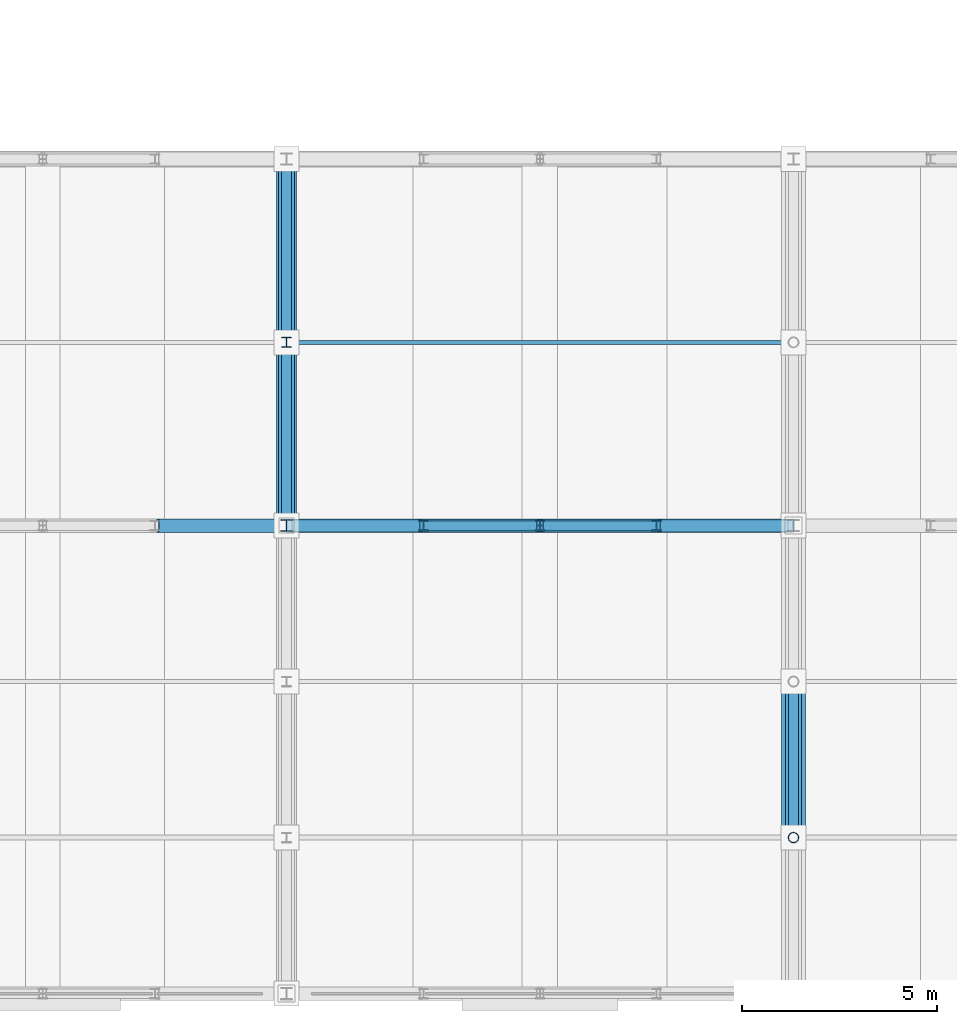
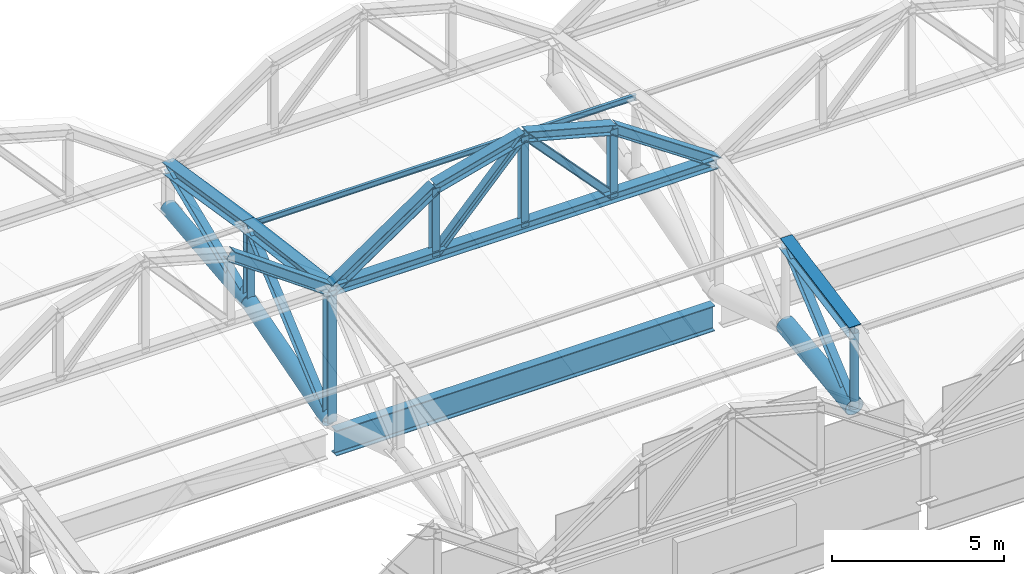
# One storey, part 23 of 117: 24 members, 1 beam.
"""IFC4 building model written with IfcOpenShell, lengths in metres."""

from ifc_helpers import new_model, si_unit, direction, frame, origin, origin_2d, place, context, subcontext, project, spatial, hollow_circle, i_section, extrude, material, material_profile, profile_set, type_object, element, save


model = new_model("IFC4")

# Units and contexts
model_context = context("Model", 3, precision=1e-05, world=origin(), true_north=direction((0.0, 1.0)))
body_context = subcontext(model_context, "Body", "Model", "MODEL_VIEW")
ifc_project = project(units=[si_unit("LENGTHUNIT", "METRE"), si_unit("AREAUNIT", "SQUARE_METRE"), si_unit("VOLUMEUNIT", "CUBIC_METRE"), si_unit("PLANEANGLEUNIT", "RADIAN"), si_unit("MASSUNIT", "GRAM", prefix="KILO")], contexts=[model_context])

# Site, building, storey
site_placement = place(None, origin())
site = spatial("IfcSite", under=ifc_project, at=site_placement, CompositionType="ELEMENT")
building_placement = place(site_placement, origin())
building = spatial("IfcBuilding", under=site, at=building_placement, Name="Kazenohara Klinker Stadium", CompositionType="ELEMENT")
storey_placement = place(building_placement, frame((0.0, 0.0, 31.199951171875)))
storey = spatial("IfcBuildingStorey", under=building, at=storey_placement, Name="RF", CompositionType="ELEMENT", Elevation=31.199951171875)

# Members
ifc_material = material(Name="Steel S355", Category="steel")
ifc_material_profile_1 = material_profile(ifc_material, i_section(OverallWidth=0.25, OverallDepth=0.25, WebThickness=0.009033203125, FlangeThickness=0.013916015625, FilletRadius=0.012939453125, at=origin_2d()), Name="H-250x250x9x14")
ifc_profile_set_1 = profile_set([ifc_material_profile_1], Name="Steel S355")
member_type_1 = type_object("IfcMemberType", Name="MEM-BRC02", PredefinedType="BRACE", material=ifc_profile_set_1)
member_1_placement = place(storey_placement, frame((99.0, 36.0, -0.02001953125), z_axis=(0.0, 0.755945561544, 0.65463448426), x_axis=(-1.0, 0.0, 0.0)))
element("IfcMember", 1, at=member_1_placement, inside=storey, type_object=member_type_1, Name="ROOF TRUSS RT-S04 web diagonal 4", PredefinedType="BRACE", context=body_context, shape_type="SweptSolid", body=[
    extrude(i_section(OverallWidth=0.25, OverallDepth=0.25, WebThickness=0.009033203125, FlangeThickness=0.013916015625, FilletRadius=0.012939453125, at=origin_2d()), origin(), (0.0, 0.0, 1.0), 6.21728515625),
])
member_2_placement = place(storey_placement, frame((99.0, 40.699951171875, 1.35009765625), z_axis=(0.0, 0.923659284192, 0.383214726655), x_axis=(-1.0, 0.0, 0.0)))
element("IfcMember", 2, at=member_2_placement, inside=storey, type_object=member_type_1, Name="ROOF TRUSS RT-S04 web diagonal 5", PredefinedType="BRACE", context=body_context, shape_type="SweptSolid", body=[
    extrude(i_section(OverallWidth=0.25, OverallDepth=0.25, WebThickness=0.009033203125, FlangeThickness=0.013916015625, FilletRadius=0.012939453125, at=origin_2d()), origin(), (0.0, 0.0, 1.0), 5.08837890625),
])
member_3_placement = place(storey_placement, frame((112.0, 28.0, 0.75), z_axis=(0.0, 0.757253091298, 0.653121547432), x_axis=(-1.0, 0.0, 0.0)))
element("IfcMember", 3, at=member_3_placement, inside=storey, type_object=member_type_1, Name="ROOF TRUSS RT-S05 web diagonal 2", PredefinedType="BRACE", context=body_context, shape_type="SweptSolid", body=[
    extrude(i_section(OverallWidth=0.25, OverallDepth=0.25, WebThickness=0.009033203125, FlangeThickness=0.013916015625, FilletRadius=0.012939453125, at=origin_2d()), origin(), (0.0, 0.0, 1.0), 5.2822265625),
])
ifc_material_profile_2 = material_profile(ifc_material, i_section(OverallWidth=0.39990234375, OverallDepth=0.39990234375, WebThickness=0.012939453125, FlangeThickness=0.02099609375, FilletRadius=0.02197265625, at=origin_2d()), Name="H-400x400x13x21")
ifc_profile_set_2 = profile_set([ifc_material_profile_2], Name="Steel S355")
member_type_2 = type_object("IfcMemberType", Name="MEM-CHD01", PredefinedType="CHORD", material=ifc_profile_set_2)
member_4_placement = place(storey_placement, frame((99.0, 36.0, 4.650146484375), z_axis=(0.0, 0.99194702514, -0.126653461524), x_axis=(-1.0, 0.0, 0.0)))
element("IfcMember", 4, at=member_4_placement, inside=storey, type_object=member_type_2, Name="ROOF TRUSS RT-S04 top arched chord 4", PredefinedType="CHORD", context=body_context, shape_type="SweptSolid", body=[
    extrude(i_section(OverallWidth=0.39990234375, OverallDepth=0.39990234375, WebThickness=0.012939453125, FlangeThickness=0.02099609375, FilletRadius=0.02197265625, at=origin_2d()), origin(), (0.0, 0.0, 1.0), 4.738037109375),
])
member_5_placement = place(storey_placement, frame((99.0, 40.699951171875, 4.050048828125), z_axis=(0.0, 0.987505848374, -0.157582357602), x_axis=(-1.0, 0.0, 0.0)))
element("IfcMember", 5, at=member_5_placement, inside=storey, type_object=member_type_2, Name="ROOF TRUSS RT-S04 top arched chord 5", PredefinedType="CHORD", context=body_context, shape_type="SweptSolid", body=[
    extrude(i_section(OverallWidth=0.39990234375, OverallDepth=0.39990234375, WebThickness=0.012939453125, FlangeThickness=0.02099609375, FilletRadius=0.02197265625, at=origin_2d()), origin(), (0.0, 0.0, 1.0), 4.759521484375),
])
member_6_placement = place(storey_placement, frame((112.0, 28.0, 3.449951171875), z_axis=(0.0, 0.982872186934, 0.18428853505), x_axis=(-1.0, 0.0, 0.0)))
element("IfcMember", 6, at=member_6_placement, inside=storey, type_object=member_type_2, Name="ROOF TRUSS RT-S05 top arched chord 2", PredefinedType="CHORD", context=body_context, shape_type="SweptSolid", body=[
    extrude(i_section(OverallWidth=0.39990234375, OverallDepth=0.39990234375, WebThickness=0.012939453125, FlangeThickness=0.02099609375, FilletRadius=0.02197265625, at=origin_2d()), origin(), (0.0, 0.0, 1.0), 4.06982421875),
])
ifc_material_profile_3 = material_profile(ifc_material, i_section(OverallWidth=0.35009765625, OverallDepth=0.35009765625, WebThickness=0.011962890625, FlangeThickness=0.01904296875, FilletRadius=0.012939453125, at=origin_2d()), Name="H-350x350x12x19")
ifc_profile_set_3 = profile_set([ifc_material_profile_3], Name="Steel S355")
member_type_3 = type_object("IfcMemberType", Name="MEM-CHD02", PredefinedType="CHORD", material=ifc_profile_set_3)
member_7_placement = place(storey_placement, frame((95.625, 36.0, 7.050048828125), z_axis=(0.814966461491, 0.0, -0.579508124744), x_axis=(0.0, 1.0, 0.0)))
element("IfcMember", 7, at=member_7_placement, inside=storey, type_object=member_type_3, Name="Barrel arch top rib TC02 S-03-N3-S4", PredefinedType="CHORD", context=body_context, shape_type="SweptSolid", body=[
    extrude(i_section(OverallWidth=0.35009765625, OverallDepth=0.35009765625, WebThickness=0.011962890625, FlangeThickness=0.01904296875, FilletRadius=0.012939453125, at=origin_2d()), origin(), (0.0, 0.0, 1.0), 4.141357421875),
])
member_8_placement = place(storey_placement, frame((99.0, 36.0, 4.650146484375), z_axis=(1.0, 0.0, 0.0), x_axis=(0.0, 1.0, 0.0)))
element("IfcMember", 8, at=member_8_placement, inside=storey, type_object=member_type_3, Name="Barrel arch tie chord TC02 S-04-N3", PredefinedType="CHORD", context=body_context, shape_type="SweptSolid", body=[
    extrude(i_section(OverallWidth=0.35009765625, OverallDepth=0.35009765625, WebThickness=0.011962890625, FlangeThickness=0.01904296875, FilletRadius=0.012939453125, at=origin_2d()), origin(), (0.0, 0.0, 1.0), 13.0),
])
member_9_placement = place(storey_placement, frame((99.0, 36.0, 4.650146484375), z_axis=(0.825491711615, 0.0, 0.56441423977), x_axis=(0.0, 1.0, 0.0)))
element("IfcMember", 9, at=member_9_placement, inside=storey, type_object=member_type_3, Name="Barrel arch top rib TC02 S-04-N3-S1", PredefinedType="CHORD", context=body_context, shape_type="SweptSolid", body=[
    extrude(i_section(OverallWidth=0.35009765625, OverallDepth=0.35009765625, WebThickness=0.011962890625, FlangeThickness=0.01904296875, FilletRadius=0.012939453125, at=origin_2d()), origin(), (0.0, 0.0, 1.0), 4.251953125),
])
for number, where, z_axis, x_axis, name in (
    (10, (102.510009765625, 36.0, 7.050048828125), (0.966015959624, 0.0, 0.258482428324), (0.0, 1.0, 0.0), "Barrel arch top rib TC02 S-04-N3-S2"),
    (11, (105.5, 36.0, 7.85009765625), (0.966015959624, 0.0, -0.258482428324), (0.0, 1.0, 0.0), "Barrel arch top rib TC02 S-04-N3-S3"),
):
    element("IfcMember", number, at=place(storey_placement, frame(where, z_axis=z_axis, x_axis=x_axis)), inside=storey, type_object=member_type_3, Name=name, PredefinedType="CHORD", context=body_context, shape_type="SweptSolid", body=[
        extrude(i_section(OverallWidth=0.35009765625, OverallDepth=0.35009765625, WebThickness=0.011962890625, FlangeThickness=0.01904296875, FilletRadius=0.012939453125, at=origin_2d()), origin(), (0.0, 0.0, 1.0), 3.09521484375),
    ])
member_10_placement = place(storey_placement, frame((108.489990234375, 36.0, 7.050048828125), z_axis=(0.825491711615, 0.0, -0.56441423977), x_axis=(0.0, 1.0, 0.0)))
element("IfcMember", 12, at=member_10_placement, inside=storey, type_object=member_type_3, Name="Barrel arch top rib TC02 S-04-N3-S4", PredefinedType="CHORD", context=body_context, shape_type="SweptSolid", body=[
    extrude(i_section(OverallWidth=0.35009765625, OverallDepth=0.35009765625, WebThickness=0.011962890625, FlangeThickness=0.01904296875, FilletRadius=0.012939453125, at=origin_2d()), origin(), (0.0, 0.0, 1.0), 4.251953125),
])
ifc_material_profile_4 = material_profile(ifc_material, hollow_circle(Radius=0.25390625, WallThickness=0.01611328125, at=origin_2d()), Name="CHS-508.0x16")
ifc_profile_set_4 = profile_set([ifc_material_profile_4], Name="Steel S355")
member_type_4 = type_object("IfcMemberType", Name="MEM-CHD04", PredefinedType="CHORD", material=ifc_profile_set_4)
member_11_placement = place(storey_placement, frame((99.0, 36.0, -0.02001953125), z_axis=(0.0, 0.960038530088, 0.279867863012), x_axis=(-1.0, 0.0, 0.0)))
element("IfcMember", 13, at=member_11_placement, inside=storey, type_object=member_type_4, Name="ROOF TRUSS RT-S04 bottom arched chord 4", PredefinedType="CHORD", context=body_context, shape_type="SweptSolid", body=[
    extrude(hollow_circle(Radius=0.25390625, WallThickness=0.01611328125, at=origin_2d()), origin(), (0.0, 0.0, 1.0), 4.8955078125),
])
member_12_placement = place(storey_placement, frame((99.0, 40.699951171875, 1.35009765625), z_axis=(0.0, 0.99438879757, 0.105787141313), x_axis=(-1.0, 0.0, 0.0)))
element("IfcMember", 14, at=member_12_placement, inside=storey, type_object=member_type_4, Name="ROOF TRUSS RT-S04 bottom arched chord 5", PredefinedType="CHORD", context=body_context, shape_type="SweptSolid", body=[
    extrude(hollow_circle(Radius=0.25390625, WallThickness=0.01611328125, at=origin_2d()), origin(), (0.0, 0.0, 1.0), 4.7265625),
])
ifc_material_profile_5 = material_profile(ifc_material, hollow_circle(Radius=0.3046875, WallThickness=0.01611328125, at=origin_2d()), Name="CHS-609.6x16")
ifc_profile_set_5 = profile_set([ifc_material_profile_5], Name="Steel S355")
member_type_5 = type_object("IfcMemberType", Name="MEM-CHD05", PredefinedType="CHORD", material=ifc_profile_set_5)
member_13_placement = place(storey_placement, frame((112.0, 28.0, 0.75), z_axis=(0.0, 0.992277876714, 0.124034734589), x_axis=(-1.0, 0.0, 0.0)))
element("IfcMember", 15, at=member_13_placement, inside=storey, type_object=member_type_5, Name="ROOF TRUSS RT-S05 bottom arched chord 2", PredefinedType="CHORD", context=body_context, shape_type="SweptSolid", body=[
    extrude(hollow_circle(Radius=0.3046875, WallThickness=0.01611328125, at=origin_2d()), origin(), (0.0, 0.0, 1.0), 4.03125),
])
ifc_material_profile_6 = material_profile(ifc_material, i_section(OverallWidth=0.10009765625, OverallDepth=0.199951171875, WebThickness=0.005615234375, FlangeThickness=0.008056640625, FilletRadius=0.008056640625, at=origin_2d()), Name="H-200x100x5.5x8")
ifc_profile_set_6 = profile_set([ifc_material_profile_6], Name="Steel S355")
member_type_6 = type_object("IfcMemberType", Name="MEM-PUR02", PredefinedType="PURLIN", material=ifc_profile_set_6)
member_14_placement = place(storey_placement, frame((99.0, 40.699951171875, 4.070068359375), z_axis=(1.0, 0.0, 0.0), x_axis=(0.0, 1.0, 0.0)))
element("IfcMember", 16, at=member_14_placement, inside=storey, type_object=member_type_6, Name="Canopy valley tie purlin PR02 S-04-N4", PredefinedType="PURLIN", context=body_context, shape_type="SweptSolid", body=[
    extrude(i_section(OverallWidth=0.10009765625, OverallDepth=0.199951171875, WebThickness=0.005615234375, FlangeThickness=0.008056640625, FilletRadius=0.008056640625, at=origin_2d()), origin(), (0.0, 0.0, 1.0), 13.0),
])
ifc_material_profile_7 = material_profile(ifc_material, i_section(OverallWidth=0.300048828125, OverallDepth=0.300048828125, WebThickness=0.010009765625, FlangeThickness=0.014892578125, FilletRadius=0.012939453125, at=origin_2d()), Name="H-300x300x10x15")
ifc_profile_set_7 = profile_set([ifc_material_profile_7], Name="Steel S355")
member_type_7 = type_object("IfcMemberType", Name="MEM-STR01", PredefinedType="STRUT", material=ifc_profile_set_7)
member_15_placement = place(storey_placement, frame((99.0, 36.0, -0.02001953125), z_axis=(0.0, 0.0, 1.0), x_axis=(1.0, 0.0, 0.0)))
element("IfcMember", 17, at=member_15_placement, inside=storey, type_object=member_type_7, Name="ROOF TRUSS RT-S04 web post 4", PredefinedType="STRUT", context=body_context, shape_type="SweptSolid", body=[
    extrude(i_section(OverallWidth=0.300048828125, OverallDepth=0.300048828125, WebThickness=0.010009765625, FlangeThickness=0.014892578125, FilletRadius=0.012939453125, at=origin_2d()), origin(), (0.0, 0.0, 1.0), 4.670166015625),
])
ifc_material_profile_8 = material_profile(ifc_material, i_section(OverallWidth=0.25, OverallDepth=0.25, WebThickness=0.009033203125, FlangeThickness=0.013916015625, FilletRadius=0.012939453125, at=origin_2d()), Name="H-250x250x9x14")
ifc_profile_set_8 = profile_set([ifc_material_profile_8], Name="Steel S355")
member_type_8 = type_object("IfcMemberType", Name="MEM-STR02", PredefinedType="STRUT", material=ifc_profile_set_8)
member_16_placement = place(storey_placement, frame((99.0, 40.699951171875, 1.35009765625), z_axis=(0.0, 0.0, 1.0), x_axis=(1.0, 0.0, 0.0)))
element("IfcMember", 18, at=member_16_placement, inside=storey, type_object=member_type_8, Name="ROOF TRUSS RT-S04 web post 5", PredefinedType="STRUT", context=body_context, shape_type="SweptSolid", body=[
    extrude(i_section(OverallWidth=0.25, OverallDepth=0.25, WebThickness=0.009033203125, FlangeThickness=0.013916015625, FilletRadius=0.012939453125, at=origin_2d()), origin(), (0.0, 0.0, 1.0), 2.699951171875),
])
member_17_placement = place(storey_placement, frame((102.510009765625, 36.0, 4.650146484375), z_axis=(0.0, 0.0, 1.0), x_axis=(1.0, 0.0, 0.0)))
element("IfcMember", 19, at=member_17_placement, inside=storey, type_object=member_type_8, Name="Barrel arch web post TS02 S-04-N3-P1", PredefinedType="STRUT", context=body_context, shape_type="SweptSolid", body=[
    extrude(i_section(OverallWidth=0.25, OverallDepth=0.25, WebThickness=0.009033203125, FlangeThickness=0.013916015625, FilletRadius=0.012939453125, at=origin_2d()), origin(), (0.0, 0.0, 1.0), 2.39990234375),
])
member_18_placement = place(storey_placement, frame((105.5, 36.0, 4.650146484375), z_axis=(0.0, 0.0, 1.0), x_axis=(1.0, 0.0, 0.0)))
element("IfcMember", 20, at=member_18_placement, inside=storey, type_object=member_type_8, Name="Barrel arch web post TS02 S-04-N3-P2", PredefinedType="STRUT", context=body_context, shape_type="SweptSolid", body=[
    extrude(i_section(OverallWidth=0.25, OverallDepth=0.25, WebThickness=0.009033203125, FlangeThickness=0.013916015625, FilletRadius=0.012939453125, at=origin_2d()), origin(), (0.0, 0.0, 1.0), 3.199951171875),
])
member_19_placement = place(storey_placement, frame((108.489990234375, 36.0, 4.650146484375), z_axis=(0.0, 0.0, 1.0), x_axis=(1.0, 0.0, 0.0)))
element("IfcMember", 21, at=member_19_placement, inside=storey, type_object=member_type_8, Name="Barrel arch web post TS02 S-04-N3-P3", PredefinedType="STRUT", context=body_context, shape_type="SweptSolid", body=[
    extrude(i_section(OverallWidth=0.25, OverallDepth=0.25, WebThickness=0.009033203125, FlangeThickness=0.013916015625, FilletRadius=0.012939453125, at=origin_2d()), origin(), (0.0, 0.0, 1.0), 2.39990234375),
])
for number, where, z_axis, x_axis, name in (
    (22, (102.510009765625, 36.0, 4.650146484375), (0.682729290589, 0.0, 0.730671414366), (0.0, 1.0, 0.0), "Barrel arch web diagonal TS02 S-04-N3-D1"),
    (23, (108.489990234375, 36.0, 4.650146484375), (-0.682729290589, 0.0, 0.730671414366), (0.0, -1.0, 0.0), "Barrel arch web diagonal TS02 S-04-N3-D2"),
):
    element("IfcMember", number, at=place(storey_placement, frame(where, z_axis=z_axis, x_axis=x_axis)), inside=storey, type_object=member_type_8, Name=name, PredefinedType="STRUT", context=body_context, shape_type="SweptSolid", body=[
        extrude(i_section(OverallWidth=0.25, OverallDepth=0.25, WebThickness=0.009033203125, FlangeThickness=0.013916015625, FilletRadius=0.012939453125, at=origin_2d()), origin(), (0.0, 0.0, 1.0), 4.37939453125),
    ])
ifc_material_profile_9 = material_profile(ifc_material, hollow_circle(Radius=0.1337890625, WallThickness=0.009033203125, at=origin_2d()), Name="CHS-267.4x9")
ifc_profile_set_9 = profile_set([ifc_material_profile_9], Name="Steel S355")
member_type_9 = type_object("IfcMemberType", Name="MEM-STR03", PredefinedType="STRUT", material=ifc_profile_set_9)
member_20_placement = place(storey_placement, frame((112.0, 28.0, 0.75), z_axis=(0.0, 0.0, 1.0), x_axis=(1.0, 0.0, 0.0)))
element("IfcMember", 24, at=member_20_placement, inside=storey, type_object=member_type_9, Name="ROOF TRUSS RT-S05 web post 2", PredefinedType="STRUT", context=body_context, shape_type="SweptSolid", body=[
    extrude(hollow_circle(Radius=0.1337890625, WallThickness=0.009033203125, at=origin_2d()), origin(), (0.0, 0.0, 1.0), 2.699951171875),
])

# Beam
ifc_material_profile_10 = material_profile(ifc_material, i_section(OverallWidth=0.300048828125, OverallDepth=0.89990234375, WebThickness=0.01611328125, FlangeThickness=0.028076171875, FilletRadius=0.02197265625, at=origin_2d()), Name="H-900x300x16x28")
ifc_profile_set_10 = profile_set([ifc_material_profile_10], Name="Steel S355")
beam_type = type_object("IfcBeamType", Name="RING-RB01", PredefinedType="USERDEFINED", material=ifc_profile_set_10)
beam_placement = place(storey_placement, frame((99.139892578125, 36.0, -0.820068359375), z_axis=(1.0, 0.0, 0.0), x_axis=(0.0, 1.0, 0.0)))
element("IfcBeam", 25, at=beam_placement, inside=storey, type_object=beam_type, Name="Roof ring beam RB01 S-IN 9-10", ObjectType="RING BEAM", PredefinedType="USERDEFINED", context=body_context, shape_type="SweptSolid", body=[
    extrude(i_section(OverallWidth=0.300048828125, OverallDepth=0.89990234375, WebThickness=0.01611328125, FlangeThickness=0.028076171875, FilletRadius=0.02197265625, at=origin_2d()), origin(), (0.0, 0.0, 1.0), 12.72021484375),
])

save(model, "model.ifc")
